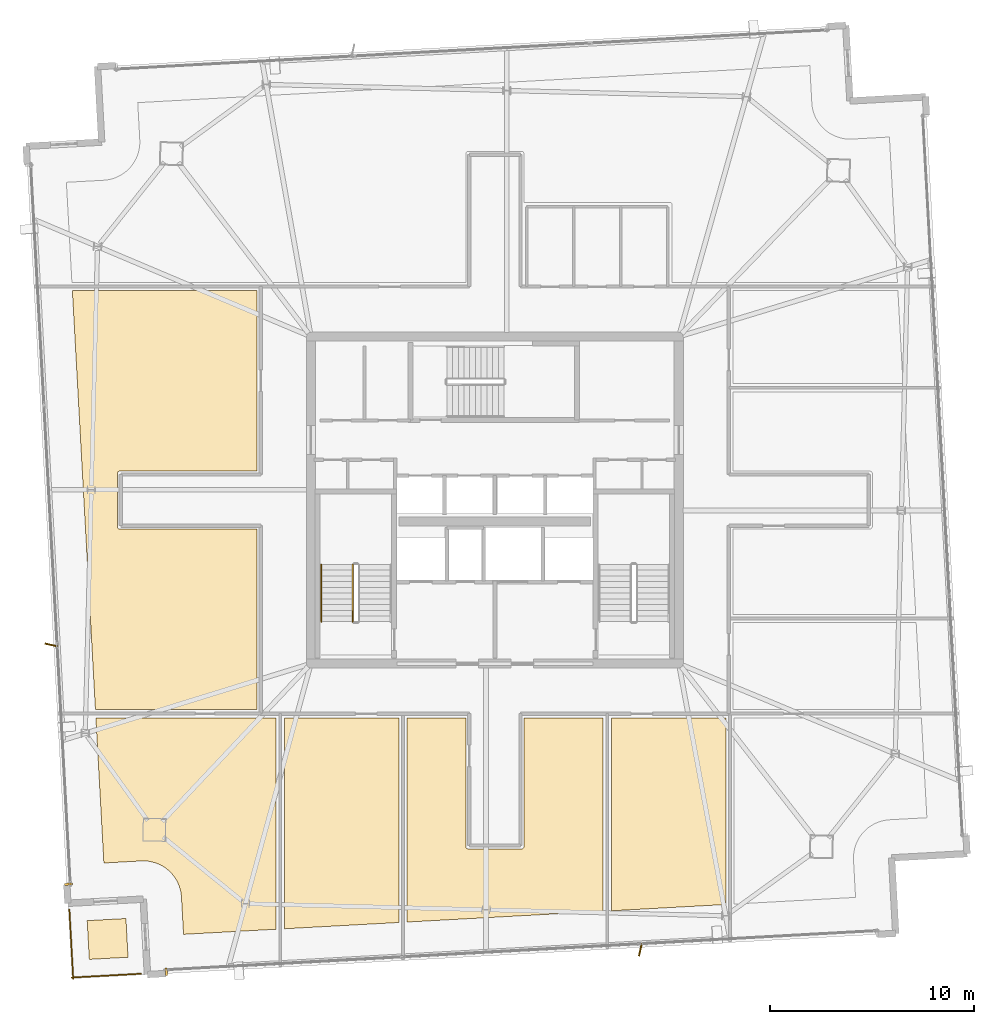
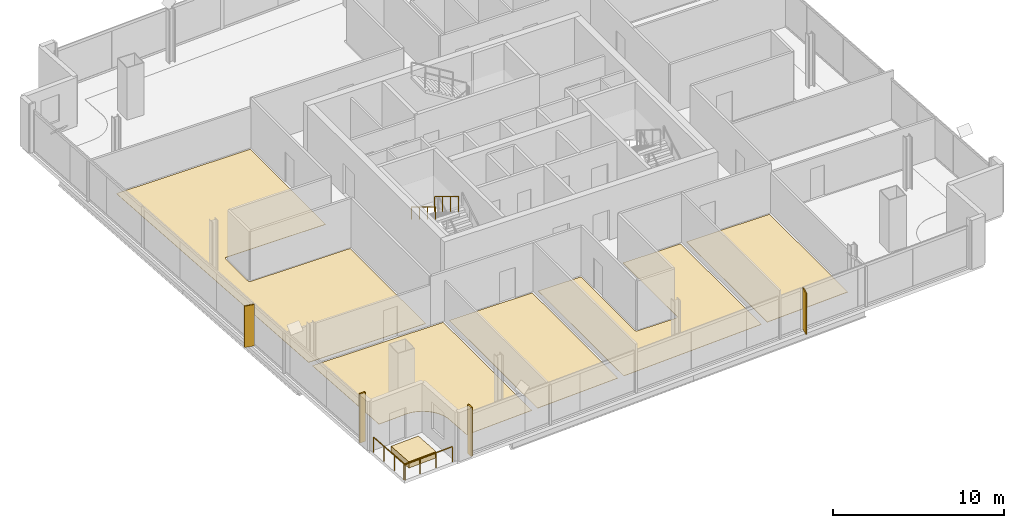
# One storey, part 21 of 23: 8 coverings, 4 railings, 2 shading devices.
"""IFC4 building model written with IfcOpenShell, lengths in metres."""

from ifc_helpers import new_model, si_unit, direction, frame, origin, origin_2d, place, context, subcontext, project, spatial, polyline, rectangle, outline, extrude, source, transform, mapped, material, layer, layer_set, type_object, element, save


model = new_model("IFC4")

# Units and contexts
model_context = context("Model", 3, precision=1e-05, world=origin(), true_north=direction((0.0, 1.0)))
body_context = subcontext(model_context, "Body", "Model", "MODEL_VIEW")
ifc_project = project(units=[si_unit("LENGTHUNIT", "METRE"), si_unit("AREAUNIT", "SQUARE_METRE"), si_unit("VOLUMEUNIT", "CUBIC_METRE"), si_unit("PLANEANGLEUNIT", "RADIAN"), si_unit("MASSUNIT", "GRAM", prefix="KILO")], contexts=[model_context])

# Site, building, storey
site_placement = place(None, origin())
site = spatial("IfcSite", under=ifc_project, at=site_placement, CompositionType="ELEMENT")
building_placement = place(site_placement, origin())
building = spatial("IfcBuilding", under=site, at=building_placement, Name="Haldenkirk Collegiate Tower", CompositionType="ELEMENT")
storey_placement = place(building_placement, frame((0.0, 0.0, 340.199951171875)))
storey = spatial("IfcBuildingStorey", under=building, at=storey_placement, Name="L86", CompositionType="ELEMENT", Elevation=340.199951171875)

# Coverings
ifc_material_1 = material(Name="Polished collegiate terrazzo", Category="concrete")
ifc_layer_1 = layer(ifc_material_1, 0.02490234375)
ifc_layer_set_1 = layer_set([ifc_layer_1], Name="Polished collegiate terrazzo")
covering_type_1 = type_object("IfcCoveringType", Name="COV-FLOOR-TERRAZZO", PredefinedType="FLOORING", material=ifc_layer_set_1)
covering_1_placement = place(storey_placement, origin())
element("IfcCovering", 1, at=covering_1_placement, inside=storey, type_object=covering_type_1, Name="L86 academic room finish 02", PredefinedType="FLOORING", context=body_context, shape_type="SweptSolid", body=[
    extrude(outline(polyline([(25.699951171875, 5.0224609375), (25.699951171875, 15.35009765625), (31.300048828125, 15.35009765625), (31.300048828125, 5.33056640625), (25.699951171875, 5.0224609375)])), origin(), (0.0, 0.0, 1.0), 0.025146484375),
])
covering_2_placement = place(storey_placement, origin())
element("IfcCovering", 2, at=covering_2_placement, inside=storey, type_object=covering_type_1, Name="L86 academic room finish 04", PredefinedType="FLOORING", context=body_context, shape_type="SweptSolid", body=[
    extrude(outline(polyline([(41.699951171875, 5.90283203125), (41.699951171875, 15.35009765625), (47.300048828125, 15.35009765625), (47.300048828125, 6.211181640625), (41.699951171875, 5.90283203125)])), origin(), (0.0, 0.0, 1.0), 0.025146484375),
])
ifc_material_2 = material(Name="Engineered collegiate oak acoustic flooring", Category="wood")
ifc_layer_2 = layer(ifc_material_2, 0.02197265625)
ifc_layer_set_2 = layer_set([ifc_layer_2], Name="Engineered collegiate oak acoustic flooring")
covering_type_2 = type_object("IfcCoveringType", Name="COV-FLOOR-TIMBER", PredefinedType="FLOORING", material=ifc_layer_set_2)
covering_3_placement = place(storey_placement, origin())
element("IfcCovering", 3, at=covering_3_placement, inside=storey, type_object=covering_type_2, Name="L86 academic room finish 01", PredefinedType="FLOORING", context=body_context, shape_type="SweptSolid", body=[
    extrude(outline(polyline([(20.7646484375, 4.750732421875), (20.6640625, 6.577880859375), (20.66357421875, 6.583984375), (20.645751953125, 6.754638671875), (20.64404296875, 6.766357421875), (20.609619140625, 6.9345703125), (20.6064453125, 6.94580078125), (20.5556640625, 7.10986328125), (20.5517578125, 7.12109375), (20.485107421875, 7.279296875), (20.47998046875, 7.289794921875), (20.398193359375, 7.44091796875), (20.39208984375, 7.450927734375), (20.2958984375, 7.593017578125), (20.288818359375, 7.6025390625), (20.178955078125, 7.734619140625), (20.1708984375, 7.743408203125), (20.048828125, 7.864013671875), (20.0400390625, 7.8720703125), (19.90673828125, 7.97998046875), (19.897216796875, 7.987060546875), (19.75390625, 8.081787109375), (19.74365234375, 8.087646484375), (19.591796875, 8.167724609375), (19.5810546875, 8.1728515625), (19.421875, 8.237548828125), (19.410888671875, 8.2412109375), (19.246337890625, 8.290283203125), (19.23486328125, 8.29296875), (19.066162109375, 8.325439453125), (19.0546875, 8.3271484375), (18.883544921875, 8.343017578125), (18.871826171875, 8.343505859375), (18.699951171875, 8.342529296875), (18.694091796875, 8.34228515625), (16.866943359375, 8.24169921875), (16.4755859375, 15.35009765625), (25.300048828125, 15.35009765625), (25.300048828125, 5.00048828125), (20.7646484375, 4.750732421875)])), origin(), (0.0, 0.0, 1.0), 0.02197265625),
])
covering_4_placement = place(storey_placement, origin())
element("IfcCovering", 4, at=covering_4_placement, inside=storey, type_object=covering_type_2, Name="L86 academic room finish 03", PredefinedType="FLOORING", context=body_context, shape_type="SweptSolid", body=[
    extrude(outline(polyline([(31.699951171875, 5.3525390625), (31.699951171875, 15.35009765625), (34.580078125, 15.35009765625), (34.580078125, 9.050048828125), (34.58056640625, 9.0380859375), (34.582275390625, 9.026611328125), (34.585205078125, 9.01513671875), (34.589111328125, 9.004150390625), (34.59423828125, 8.993408203125), (34.60009765625, 8.9833984375), (34.607177734375, 8.973876953125), (34.614990234375, 8.965087890625), (34.623779296875, 8.957275390625), (34.63330078125, 8.9501953125), (34.643310546875, 8.944091796875), (34.654052734375, 8.939208984375), (34.665283203125, 8.935302734375), (34.676513671875, 8.932373046875), (34.688232421875, 8.9306640625), (34.699951171875, 8.929931640625), (37.300048828125, 8.929931640625), (37.311767578125, 8.9306640625), (37.323486328125, 8.932373046875), (37.334716796875, 8.935302734375), (37.345947265625, 8.939208984375), (37.356689453125, 8.944091796875), (37.36669921875, 8.9501953125), (37.376220703125, 8.957275390625), (37.385009765625, 8.965087890625), (37.392822265625, 8.973876953125), (37.39990234375, 8.9833984375), (37.40576171875, 8.993408203125), (37.410888671875, 9.004150390625), (37.414794921875, 9.01513671875), (37.417724609375, 9.026611328125), (37.41943359375, 9.0380859375), (37.419921875, 9.050048828125), (37.419921875, 15.35009765625), (41.300048828125, 15.35009765625), (41.300048828125, 5.880859375), (31.699951171875, 5.3525390625)])), origin(), (0.0, 0.0, 1.0), 0.02197265625),
])
covering_5_placement = place(storey_placement, origin())
element("IfcCovering", 5, at=covering_5_placement, inside=storey, type_object=covering_type_2, Name="L86 academic room finish 07", PredefinedType="FLOORING", context=body_context, shape_type="SweptSolid", body=[
    extrude(outline(polyline([(17.64990234375, 27.419921875), (17.63818359375, 27.41943359375), (17.626708984375, 27.417724609375), (17.615234375, 27.414794921875), (17.60400390625, 27.410888671875), (17.593505859375, 27.40576171875), (17.583251953125, 27.39990234375), (17.573974609375, 27.392822265625), (17.565185546875, 27.385009765625), (17.55712890625, 27.376220703125), (17.55029296875, 27.36669921875), (17.544189453125, 27.356689453125), (17.5390625, 27.345947265625), (17.53515625, 27.334716796875), (17.5322265625, 27.323486328125), (17.530517578125, 27.311767578125), (17.530029296875, 27.300048828125), (17.530029296875, 24.699951171875), (17.530517578125, 24.688232421875), (17.5322265625, 24.676513671875), (17.53515625, 24.665283203125), (17.5390625, 24.654052734375), (17.544189453125, 24.643310546875), (17.55029296875, 24.63330078125), (17.55712890625, 24.623779296875), (17.565185546875, 24.614990234375), (17.573974609375, 24.607177734375), (17.583251953125, 24.60009765625), (17.593505859375, 24.59423828125), (17.60400390625, 24.589111328125), (17.615234375, 24.585205078125), (17.626708984375, 24.582275390625), (17.63818359375, 24.58056640625), (17.64990234375, 24.580078125), (24.35009765625, 24.580078125), (24.35009765625, 15.75), (16.45361328125, 15.75), (15.325439453125, 36.25), (24.35009765625, 36.25), (24.35009765625, 27.419921875), (17.64990234375, 27.419921875)])), origin(), (0.0, 0.0, 1.0), 0.02197265625),
])
ifc_material_3 = material(Name="Precast concrete f'c 40 MPa", Category="concrete")
ifc_layer_3 = layer(ifc_material_3, 0.449951171875)
ifc_layer_set_3 = layer_set([ifc_layer_3], Name="Precast concrete f'c 40 MPa")
covering_type_3 = type_object("IfcCoveringType", Name="COV-PLANTER-450", PredefinedType="USERDEFINED", material=ifc_layer_set_3)
covering_6_placement = place(storey_placement, origin())
element("IfcCovering", 6, at=covering_6_placement, inside=storey, type_object=covering_type_3, Name="L86 planted garden planter bed", ObjectType="PLANTER", PredefinedType="USERDEFINED", context=body_context, shape_type="SweptSolid", body=[
    extrude(outline(polyline([(18.052001953125, 3.6298828125), (16.155029296875, 3.525634765625), (16.050537109375, 5.422607421875), (17.94775390625, 5.527099609375), (18.052001953125, 3.6298828125)])), origin(), (0.0, 0.0, 1.0), 0.449951171875),
])

# Railings
ifc_material_4 = material(Name="Painted architectural tubular steel", Category="steel")
railing_type_1 = type_object("IfcRailingType", Name="RLG-STAIR-GUARD-1100", PredefinedType="BALUSTRADE", material=ifc_material_4)
railing_1_placement = place(storey_placement, frame((29.050048828125, 22.85009765625, 2.04541015625)))
element("IfcRailing", 7, at=railing_1_placement, inside=storey, type_object=railing_type_1, Name="L86 ST-1 stair guard 3", PredefinedType="BALUSTRADE", context=body_context, shape_type="SweptSolid", body=[
    extrude(rectangle(XDim=0.048095703125, YDim=0.048095703125, at=origin_2d()), frame((0.0, 0.0, 1.076171875), z_axis=(0.0, -0.854169791009, 0.51999420009), x_axis=(1.0, 0.0, 0.0)), (0.0, 0.0, 1.0), 3.278076171875),
    extrude(rectangle(XDim=0.0419921875, YDim=0.0419921875, at=origin_2d()), origin(), (0.0, 0.0, 1.0), 1.052001953125),
    extrude(rectangle(XDim=0.0419921875, YDim=0.0419921875, at=origin_2d()), frame((0.0, -0.933349609375, 0.568115234375)), (0.0, 0.0, 1.0), 1.052001953125),
    extrude(rectangle(XDim=0.0419921875, YDim=0.0419921875, at=origin_2d()), frame((0.0, -1.86669921875, 1.136474609375)), (0.0, 0.0, 1.0), 1.052001953125),
    extrude(rectangle(XDim=0.0419921875, YDim=0.0419921875, at=origin_2d()), frame((0.0, -2.800048828125, 1.70458984375)), (0.0, 0.0, 1.0), 1.052001953125),
])
railing_type_2 = type_object("IfcRailingType", Name="RLG-STAIR-HANDRAIL-900", PredefinedType="HANDRAIL", material=ifc_material_4)
railing_2_placement = place(storey_placement, frame((27.5, 22.85009765625, 2.04541015625)))
element("IfcRailing", 8, at=railing_2_placement, inside=storey, type_object=railing_type_2, Name="L86 ST-1 stair handrail 2", PredefinedType="HANDRAIL", context=body_context, shape_type="SweptSolid", body=[
    extrude(rectangle(XDim=0.048095703125, YDim=0.048095703125, at=origin_2d()), frame((0.0, 0.0, 0.8759765625), z_axis=(0.0, -0.854169791009, 0.51999420009), x_axis=(1.0, 0.0, 0.0)), (0.0, 0.0, 1.0), 3.278076171875),
    extrude(rectangle(XDim=0.0419921875, YDim=0.0419921875, at=origin_2d()), origin(), (0.0, 0.0, 1.0), 0.851806640625),
    extrude(rectangle(XDim=0.0419921875, YDim=0.0419921875, at=origin_2d()), frame((0.0, -0.933349609375, 0.568115234375)), (0.0, 0.0, 1.0), 0.851806640625),
    extrude(rectangle(XDim=0.0419921875, YDim=0.0419921875, at=origin_2d()), frame((0.0, -1.86669921875, 1.136474609375)), (0.0, 0.0, 1.0), 0.851806640625),
    extrude(rectangle(XDim=0.0419921875, YDim=0.0419921875, at=origin_2d()), frame((0.0, -2.800048828125, 1.70458984375)), (0.0, 0.0, 1.0), 0.851806640625),
])
ifc_material_5 = material(Name="Anodised architectural bronze aluminium", Category="aluminium")
railing_type_3 = type_object("IfcRailingType", Name="RLG-TERR-BALUSTRADE-1100", PredefinedType="BALUSTRADE", material=ifc_material_5)
railing_3_placement = place(storey_placement, frame((15.179931640625, 5.955810546875, 0.0)))
element("IfcRailing", 9, at=railing_3_placement, inside=storey, type_object=railing_type_3, Name="L86 terrace guard balustrade 3-1", PredefinedType="BALUSTRADE", context=body_context, shape_type="SweptSolid", body=[
    extrude(rectangle(XDim=0.048095703125, YDim=0.048095703125, at=origin_2d()), frame((0.0, 0.0, 1.076171875), z_axis=(0.054965968016, -0.998488228453, 0.0), x_axis=(0.998488228453, 0.054965968016, 0.0)), (0.0, 0.0, 1.0), 3.380126953125),
    extrude(rectangle(XDim=0.0419921875, YDim=0.0419921875, at=origin_2d()), origin(), (0.0, 0.0, 1.0), 1.052001953125),
    extrude(rectangle(XDim=0.0419921875, YDim=0.0419921875, at=origin_2d()), frame((0.06201171875, -1.125, 0.0)), (0.0, 0.0, 1.0), 1.052001953125),
    extrude(rectangle(XDim=0.0419921875, YDim=0.0419921875, at=origin_2d()), frame((0.123779296875, -2.25, 0.0)), (0.0, 0.0, 1.0), 1.052001953125),
    extrude(rectangle(XDim=0.0419921875, YDim=0.0419921875, at=origin_2d()), frame((0.185791015625, -3.375, 0.0)), (0.0, 0.0, 1.0), 1.052001953125),
])
railing_4_placement = place(storey_placement, frame((15.302490234375, 2.637451171875, 0.0)))
element("IfcRailing", 10, at=railing_4_placement, inside=storey, type_object=railing_type_3, Name="L86 terrace guard balustrade 4-1", PredefinedType="BALUSTRADE", context=body_context, shape_type="SweptSolid", body=[
    extrude(rectangle(XDim=0.048095703125, YDim=0.048095703125, at=origin_2d()), frame((0.0, 0.0, 1.076171875), z_axis=(0.998492189986, 0.054893957204, 0.0), x_axis=(-0.054893957204, 0.998492189986, 0.0)), (0.0, 0.0, 1.0), 3.380126953125),
    extrude(rectangle(XDim=0.0419921875, YDim=0.0419921875, at=origin_2d()), origin(), (0.0, 0.0, 1.0), 1.052001953125),
    extrude(rectangle(XDim=0.0419921875, YDim=0.0419921875, at=origin_2d()), frame((1.125, 0.061767578125, 0.0)), (0.0, 0.0, 1.0), 1.052001953125),
    extrude(rectangle(XDim=0.0419921875, YDim=0.0419921875, at=origin_2d()), frame((2.25, 0.123779296875, 0.0)), (0.0, 0.0, 1.0), 1.052001953125),
    extrude(rectangle(XDim=0.0419921875, YDim=0.0419921875, at=origin_2d()), frame((3.375, 0.185546875, 0.0)), (0.0, 0.0, 1.0), 1.052001953125),
])

# Coverings
ifc_layer_4 = layer(ifc_material_5, 0.06005859375)
ifc_layer_set_4 = layer_set([ifc_layer_4], Name="Anodised architectural bronze aluminium")
covering_type_4 = type_object("IfcCoveringType", Name="COV-CLAD-BRONZE-60", PredefinedType="CLADDING", material=ifc_layer_set_4)
shared_shape_1 = source(origin(), body_context, "Body", "SweptSolid", [
    extrude(rectangle(XDim=0.10009765625, YDim=0.3798828125, at=origin_2d()), origin(), (0.0, 0.0, 1.0), 3.489990234375),
])
for number, where, z_axis, x_axis, name in (
    (11, (15.14111328125, 7.205322265625, 0.0), (0.0, 0.0, 1.0), (-0.054950179912, 0.998489097451, 0.0), "L86 recessed curtain-wall bronze jamb closure NJL"),
    (12, (19.923828125, 2.921875, 0.0), (0.0, 0.0, 1.0), (-0.998489097451, -0.054950179912, 0.0), "L86 recessed curtain-wall bronze jamb closure WJR"),
):
    element("IfcCovering", number, at=place(storey_placement, frame(where, z_axis=z_axis, x_axis=x_axis)), inside=storey, type_object=covering_type_4, Name=name, PredefinedType="CLADDING", context=body_context, shape_type="MappedRepresentation", body=[
        mapped(shared_shape_1, transform((0.0, 0.0, 0.0), x_axis=(1.0, 0.0, 0.0), y_axis=(0.0, 1.0, 0.0), z_axis=(0.0, 0.0, 1.0), scale=1.0)),
    ])

# Shading devices
ifc_layer_5 = layer(ifc_material_5, 0.06494140625)
ifc_layer_set_5 = layer_set([ifc_layer_5], Name="Anodised architectural bronze aluminium")
shading_device_type = type_object("IfcShadingDeviceType", Name="SHD-FIN-BRONZE-620", PredefinedType="USERDEFINED", material=ifc_layer_set_5)
shared_shape_2 = source(origin(), body_context, "Body", "SweptSolid", [
    extrude(rectangle(XDim=0.6201171875, YDim=0.06494140625, at=origin_2d()), origin(), (0.0, 0.0, 1.0), 2.947998046875),
])
for number, where, z_axis, x_axis, name in (
    (13, (14.29150390625, 18.9130859375, 0.0), (0.0, 0.0, 1.0), (-0.974955645484, 0.222399391499, 0.0), "L86 folded bronze solar fin 1"),
    (14, (43.1201171875, 3.992919921875, 0.0), (0.0, 0.0, 1.0), (-0.222399391499, -0.974955645484, 0.0), "L86 folded bronze solar fin 1"),
):
    element("IfcShadingDevice", number, at=place(storey_placement, frame(where, z_axis=z_axis, x_axis=x_axis)), inside=storey, type_object=shading_device_type, Name=name, ObjectType="FIN", PredefinedType="USERDEFINED", context=body_context, shape_type="MappedRepresentation", body=[
        mapped(shared_shape_2, transform((0.0, 0.0, 0.0), x_axis=(1.0, 0.0, 0.0), y_axis=(0.0, 1.0, 0.0), z_axis=(0.0, 0.0, 1.0), scale=1.0)),
    ])

save(model, "model.ifc")
